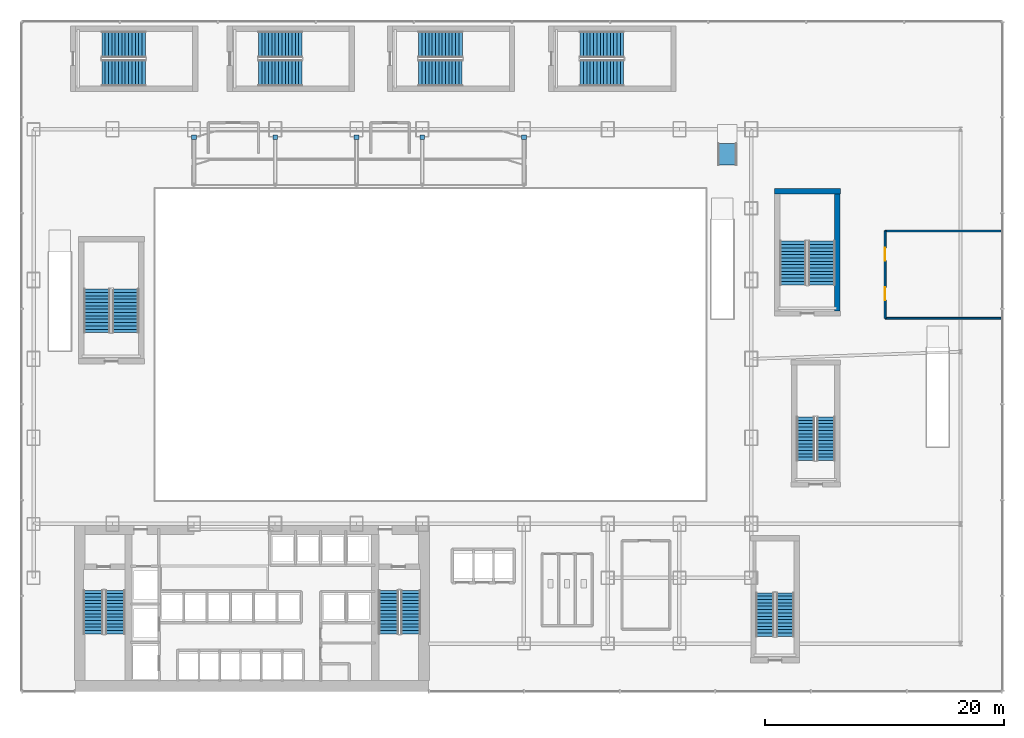
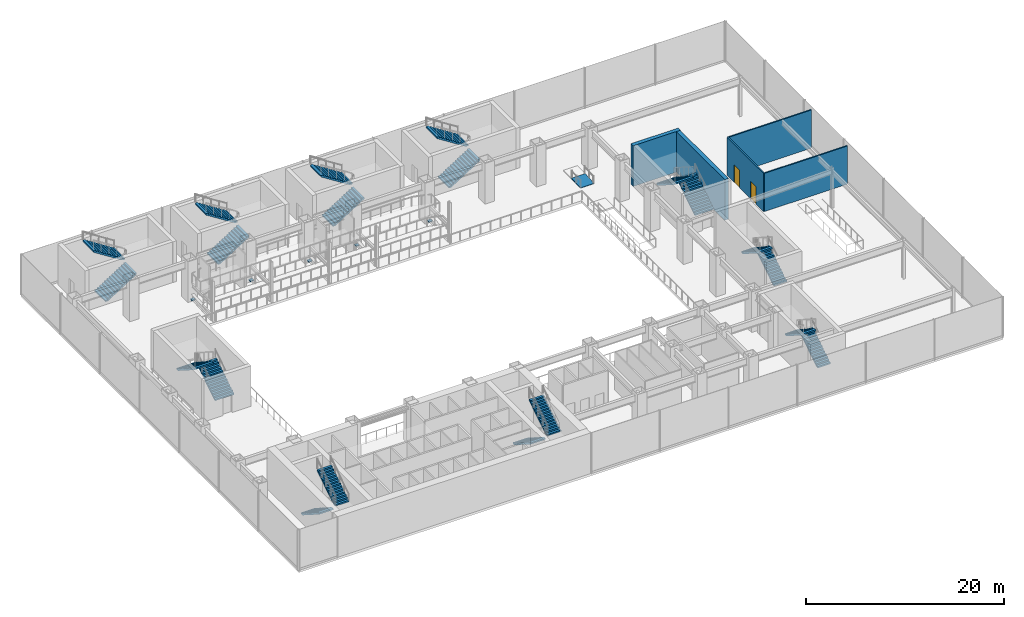
# One storey, part 31 of 39: 20 stair flights, 5 discrete accessories, 5 walls, 2 doors, 1 ramp flight, 2 openings, 11 elements without a shape of their own.
"""IFC4 building model written with IfcOpenShell, lengths in metres."""

from ifc_helpers import new_model, si_unit, derived_unit, direction, frame, frame_2d, origin, origin_2d, place, context, subcontext, project, spatial, polyline, rectangle, outline, extrude, source, transform, mapped, material, layer, layer_set, type_object, element, fill, aggregate, save


model = new_model("IFC4")

# Units and contexts
model_context = context("Model", 3, precision=1e-05, world=origin(), true_north=direction((0.0, 1.0)))
body_context = subcontext(model_context, "Body", "Model", "MODEL_VIEW")
ifc_project = project(units=[si_unit("LENGTHUNIT", "METRE"), si_unit("AREAUNIT", "SQUARE_METRE"), si_unit("VOLUMEUNIT", "CUBIC_METRE"), si_unit("PLANEANGLEUNIT", "RADIAN"), si_unit("MASSUNIT", "GRAM", prefix="KILO"), derived_unit("THERMALTRANSMITTANCEUNIT", [(si_unit("POWERUNIT", "WATT"), 1), (si_unit("LENGTHUNIT", "METRE"), -2), (si_unit("THERMODYNAMICTEMPERATUREUNIT", "KELVIN"), -1)])], contexts=[model_context])

# Site, building, storey
site_placement = place(None, origin())
site = spatial("IfcSite", under=ifc_project, at=site_placement, CompositionType="ELEMENT")
building_placement = place(site_placement, origin())
building = spatial("IfcBuilding", under=site, at=building_placement, Name="Skarnbrae Concourse Arena and Tower", CompositionType="ELEMENT")
storey_placement = place(building_placement, frame((0.0, 0.0, 11.0)))
storey = spatial("IfcBuildingStorey", under=building, at=storey_placement, Name="L02", CompositionType="ELEMENT", Elevation=11.0)

# Walls
ifc_material_1 = material(Name="Concrete 50 MPa (C50/60)", Category="concrete")
ifc_layer_1 = layer(ifc_material_1, 0.449951171875)
ifc_layer_set_1 = layer_set([ifc_layer_1], Name="Concrete 50 MPa (C50/60)")
wall_type_1 = type_object("IfcWallType", Name="WALL-CORE-450-C50", PredefinedType="SHEAR", material=ifc_layer_set_1)
shared_shape_1 = source(origin(), body_context, "Body", "SweptSolid", [
    extrude(rectangle(XDim=9.800048828125, YDim=0.449951171875, at=frame_2d((4.89990234375, 0.0))), origin(), (0.0, 0.0, 1.0), 5.0),
])
wall_1_placement = place(storey_placement, frame((68.205078125, 31.800048828125, 0.0), z_axis=(0.0, 0.0, 1.0), x_axis=(0.0, 1.0, 0.0)))
element("IfcWall", 1, at=wall_1_placement, inside=storey, type_object=wall_type_1, Name="L02 Protected stair shaft wall ST-A4-E", PredefinedType="SHEAR", context=body_context, shape_type="MappedRepresentation", body=[
    mapped(shared_shape_1, transform((0.0, 0.0, 0.0))),
])
shared_shape_2 = source(origin(), body_context, "Body", "SweptSolid", [
    extrude(rectangle(XDim=5.5, YDim=0.449951171875, at=frame_2d((2.75, 0.0))), origin(), (0.0, 0.0, 1.0), 5.0),
])
wall_2_placement = place(storey_placement, frame((62.949951171875, 41.804931640625, 0.0), z_axis=(0.0, 0.0, 1.0), x_axis=(1.0, 0.0, 0.0)))
element("IfcWall", 2, at=wall_2_placement, inside=storey, type_object=wall_type_1, Name="L02 Protected stair shaft wall ST-A4-N", PredefinedType="SHEAR", context=body_context, shape_type="MappedRepresentation", body=[
    mapped(shared_shape_2, transform((0.0, 0.0, 0.0))),
])

# Wall, openings, doors
ifc_material_2 = material(Name="Gypsum board on cold-formed steel studs", Category="steel")
ifc_layer_2 = layer(ifc_material_2, 0.14990234375)
ifc_layer_set_2 = layer_set([ifc_layer_2], Name="Gypsum board on cold-formed steel studs")
wall_type_2 = type_object("IfcWallType", Name="WALL-PART-150-1HR", PredefinedType="PARTITIONING", material=ifc_layer_set_2)
shared_shape_3 = source(origin(), body_context, "Body", "SweptSolid", [
    extrude(rectangle(XDim=7.300048828125, YDim=0.14990234375, at=frame_2d((3.64990234375, 0.0))), origin(), (0.0, 0.0, 1.0), 4.699951171875),
])
wall_3_placement = place(storey_placement, frame((72.199951171875, 31.199951171875, 0.0), z_axis=(0.0, 0.0, 1.0), x_axis=(0.0, 1.0, 0.0)))
wall_3 = element("IfcWall", 3, at=wall_3_placement, inside=storey, type_object=wall_type_2, Name="L02 Interior partition wall W-L02-CLB-W", PredefinedType="PARTITIONING", context=body_context, shape_type="MappedRepresentation", body=[
    mapped(shared_shape_3, transform((0.0, 0.0, 0.0))),
])
opening_1_placement = place(wall_3_placement, frame((1.5, 0.0, 0.0)))
opening_1 = element("IfcOpeningElement", 4, at=opening_1_placement, cuts=wall_3, Name="Opening DT-03", PredefinedType="OPENING", context=body_context, shape_type="SweptSolid", body=[
    extrude(rectangle(XDim=1.10009765625, YDim=2.14990234375, at=frame_2d((0.550048828125, 1.074951171875))), frame((0.0, 0.0849609375, 0.0), z_axis=(0.0, -1.0, 0.0), x_axis=(1.0, 0.0, 0.0)), (0.0, 0.0, 1.0), 0.169921875),
])
opening_2_placement = place(wall_3_placement, frame((4.800048828125, 0.0, 0.0)))
opening_2 = element("IfcOpeningElement", 5, at=opening_2_placement, cuts=wall_3, Name="Opening DT-03", PredefinedType="OPENING", context=body_context, shape_type="SweptSolid", body=[
    extrude(rectangle(XDim=1.10009765625, YDim=2.14990234375, at=frame_2d((0.550048828125, 1.074951171875))), frame((0.0, 0.0849609375, 0.0), z_axis=(0.0, -1.0, 0.0), x_axis=(1.0, 0.0, 0.0)), (0.0, 0.0, 1.0), 0.169921875),
])
ifc_material_3 = material(Name="Steel CSA G40.21 350W", Category="steel")
door_type = type_object("IfcDoorType", Name="DOOR-FIRE-1100-90M", OperationType="NOTDEFINED", PredefinedType="DOOR", material=ifc_material_3)
shared_shape_4 = source(origin(), body_context, "Body", "SweptSolid", [
    extrude(rectangle(XDim=1.10009765625, YDim=2.14990234375, at=frame_2d((0.550048828125, 1.074951171875))), frame((0.0, 0.02490234375, 0.0), z_axis=(0.0, -1.0, 0.0), x_axis=(1.0, 0.0, 0.0)), (0.0, 0.0, 1.0), 0.050048828125),
])
door_1_placement = place(opening_1_placement, frame((1.10009765625, 0.0, 0.0), z_axis=(0.0, 0.0, 1.0), x_axis=(-1.0, 0.0, 0.0)))
door_1 = element("IfcDoor", 6, at=door_1_placement, inside=storey, type_object=door_type, Name="D-0245 Arena Club Lounge South Door", OperationType="SINGLE_SWING_LEFT", OverallHeight=2.14990234375, OverallWidth=1.10009765625, PredefinedType="DOOR", context=body_context, shape_type="MappedRepresentation", body=[
    mapped(shared_shape_4, transform((0.0, 0.0, 0.0))),
])
fill(opening_1, door_1)
door_2_placement = place(opening_2_placement, frame((1.10009765625, 0.0, 0.0), z_axis=(0.0, 0.0, 1.0), x_axis=(-1.0, 0.0, 0.0)))
door_2 = element("IfcDoor", 7, at=door_2_placement, inside=storey, type_object=door_type, Name="D-0246 Arena Club Lounge North Door", OperationType="SINGLE_SWING_RIGHT", OverallHeight=2.14990234375, OverallWidth=1.10009765625, PredefinedType="DOOR", context=body_context, shape_type="MappedRepresentation", body=[
    mapped(shared_shape_4, transform((0.0, 0.0, 0.0))),
])
fill(opening_2, door_2)

# Walls
shared_shape_5 = source(origin(), body_context, "Body", "SweptSolid", [
    extrude(rectangle(XDim=9.699951171875, YDim=0.14990234375, at=frame_2d((4.85009765625, 0.0))), origin(), (0.0, 0.0, 1.0), 4.699951171875),
])
for number, where, z_axis, x_axis, name in (
    (8, (72.199951171875, 31.199951171875, 0.0), (0.0, 0.0, 1.0), (1.0, 0.0, 0.0), "L02 Interior partition wall W-L02-CLB-S"),
    (9, (72.199951171875, 38.5, 0.0), (0.0, 0.0, 1.0), (1.0, 0.0, 0.0), "L02 Interior partition wall W-L02-CLB-N"),
):
    element("IfcWall", number, at=place(storey_placement, frame(where, z_axis=z_axis, x_axis=x_axis)), inside=storey, type_object=wall_type_2, Name=name, PredefinedType="PARTITIONING", context=body_context, shape_type="MappedRepresentation", body=[
        mapped(shared_shape_5, transform((0.0, 0.0, 0.0))),
    ])

# Stair, stair flights
ifc_material_4 = material(Name="Concrete 40 MPa (C40/50)", Category="concrete")
stair_type_1 = type_object("IfcStairType", Name="STAIR-DOGLEG-1650", PredefinedType="HALF_TURN_STAIR", material=ifc_material_4)
stair_1_placement = place(storey_placement, origin())
stair_1 = element("IfcStair", 10, at=stair_1_placement, inside=storey, type_object=stair_type_1, Name="L02 Protected Exit Stair ST-1", PredefinedType="HALF_TURN_STAIR")
stair_flight_type_1 = type_object("IfcStairFlightType", Name="FLIGHT-STRAIGHT-1650", PredefinedType="STRAIGHT", material=ifc_material_4)
shared_shape_6 = source(origin(), body_context, "Body", "SweptSolid", [
    extrude(outline(polyline([(0.0, 0.0), (0.0, 0.178466796875), (0.280029296875, 0.178466796875), (0.280029296875, 0.357177734375), (0.56005859375, 0.357177734375), (0.56005859375, 0.53564453125), (0.840087890625, 0.53564453125), (0.840087890625, 0.71435546875), (1.1201171875, 0.71435546875), (1.1201171875, 0.892822265625), (1.39990234375, 0.892822265625), (1.39990234375, 1.071533203125), (1.679931640625, 1.071533203125), (1.679931640625, 1.25), (1.9599609375, 1.25), (1.9599609375, 1.428466796875), (2.239990234375, 1.428466796875), (2.239990234375, 1.607177734375), (2.52001953125, 1.607177734375), (2.52001953125, 1.78564453125), (2.800048828125, 1.78564453125), (2.800048828125, 1.96435546875), (3.080078125, 1.96435546875), (3.080078125, 2.142822265625), (3.360107421875, 2.142822265625), (3.360107421875, 2.321533203125), (3.639892578125, 2.321533203125), (3.639892578125, 2.5), (3.639892578125, 2.1435546875), (0.27880859375, 0.0), (0.0, 0.0)])), frame((0.0, 0.824951171875, 0.0), z_axis=(0.0, -1.0, 0.0), x_axis=(1.0, 0.0, 0.0)), (0.0, 0.0, 1.0), 1.64990234375),
])
stair_flight_1_placement = place(storey_placement, frame((5.97509765625, 8.449951171875, 0.0), z_axis=(0.0, 0.0, 1.0), x_axis=(0.0, -1.0, 0.0)))
stair_flight_1 = element("IfcStairFlight", 11, at=stair_flight_1_placement, type_object=stair_flight_type_1, Name="ST-1 flight 1", NumberOfRisers=14, NumberOfTreads=13, PredefinedType="STRAIGHT", RiserHeight=0.178571429, TreadLength=0.28, context=body_context, shape_type="MappedRepresentation", body=[
    mapped(shared_shape_6, transform((0.0, 0.0, 0.0))),
])
stair_flight_2_placement = place(storey_placement, frame((7.824951171875, 4.81005859375, 2.5), z_axis=(0.0, 0.0, 1.0), x_axis=(0.0, 1.0, 0.0)))
stair_flight_2 = element("IfcStairFlight", 12, at=stair_flight_2_placement, type_object=stair_flight_type_1, Name="ST-1 flight 2", NumberOfRisers=14, NumberOfTreads=13, PredefinedType="STRAIGHT", RiserHeight=0.178571429, TreadLength=0.28, context=body_context, shape_type="MappedRepresentation", body=[
    mapped(shared_shape_6, transform((0.0, 0.0, 0.0))),
])
aggregate(stair_1, [stair_flight_1, stair_flight_2])

stair_2_placement = place(storey_placement, origin())
stair_2 = element("IfcStair", 13, at=stair_2_placement, inside=storey, type_object=stair_type_1, Name="L02 Protected Exit Stair ST-2", PredefinedType="HALF_TURN_STAIR")
stair_flight_3_placement = place(storey_placement, frame((30.675048828125, 8.449951171875, 0.0), z_axis=(0.0, 0.0, 1.0), x_axis=(0.0, -1.0, 0.0)))
stair_flight_3 = element("IfcStairFlight", 14, at=stair_flight_3_placement, type_object=stair_flight_type_1, Name="ST-2 flight 1", NumberOfRisers=14, NumberOfTreads=13, PredefinedType="STRAIGHT", RiserHeight=0.178571429, TreadLength=0.28, context=body_context, shape_type="MappedRepresentation", body=[
    mapped(shared_shape_6, transform((0.0, 0.0, 0.0))),
])
stair_flight_4_placement = place(storey_placement, frame((32.52490234375, 4.81005859375, 2.5), z_axis=(0.0, 0.0, 1.0), x_axis=(0.0, 1.0, 0.0)))
stair_flight_4 = element("IfcStairFlight", 15, at=stair_flight_4_placement, type_object=stair_flight_type_1, Name="ST-2 flight 2", NumberOfRisers=14, NumberOfTreads=13, PredefinedType="STRAIGHT", RiserHeight=0.178571429, TreadLength=0.28, context=body_context, shape_type="MappedRepresentation", body=[
    mapped(shared_shape_6, transform((0.0, 0.0, 0.0))),
])
aggregate(stair_2, [stair_flight_3, stair_flight_4])

stair_type_2 = type_object("IfcStairType", Name="STAIR-DOGLEG-1500", PredefinedType="HALF_TURN_STAIR", material=ifc_material_4)
stair_3_placement = place(storey_placement, origin())
stair_3 = element("IfcStair", 16, at=stair_3_placement, inside=storey, type_object=stair_type_2, Name="L02 Arena Exit Stair ST-A1", PredefinedType="HALF_TURN_STAIR")
stair_flight_type_2 = type_object("IfcStairFlightType", Name="FLIGHT-STRAIGHT-1500", PredefinedType="STRAIGHT", material=ifc_material_4)
shared_shape_7 = source(origin(), body_context, "Body", "SweptSolid", [
    extrude(outline(polyline([(0.0, 0.0), (0.0, 0.178466796875), (0.280029296875, 0.178466796875), (0.280029296875, 0.357177734375), (0.56005859375, 0.357177734375), (0.56005859375, 0.53564453125), (0.840087890625, 0.53564453125), (0.840087890625, 0.71435546875), (1.1201171875, 0.71435546875), (1.1201171875, 0.892822265625), (1.39990234375, 0.892822265625), (1.39990234375, 1.071533203125), (1.679931640625, 1.071533203125), (1.679931640625, 1.25), (1.9599609375, 1.25), (1.9599609375, 1.428466796875), (2.239990234375, 1.428466796875), (2.239990234375, 1.607177734375), (2.52001953125, 1.607177734375), (2.52001953125, 1.78564453125), (2.800048828125, 1.78564453125), (2.800048828125, 1.96435546875), (3.080078125, 1.96435546875), (3.080078125, 2.142822265625), (3.360107421875, 2.142822265625), (3.360107421875, 2.321533203125), (3.639892578125, 2.321533203125), (3.639892578125, 2.5), (3.639892578125, 2.1435546875), (0.27880859375, 0.0), (0.0, 0.0)])), frame((0.0, 0.75, 0.0), z_axis=(0.0, -1.0, 0.0), x_axis=(1.0, 0.0, 0.0)), (0.0, 0.0, 1.0), 1.5),
])
stair_flight_5_placement = place(storey_placement, frame((63.85009765625, 4.60009765625, 0.0), z_axis=(0.0, 0.0, 1.0), x_axis=(0.0, 1.0, 0.0)))
stair_flight_5 = element("IfcStairFlight", 17, at=stair_flight_5_placement, type_object=stair_flight_type_2, Name="ST-A1 flight 1", NumberOfRisers=14, NumberOfTreads=13, PredefinedType="STRAIGHT", RiserHeight=0.178571429, TreadLength=0.28, context=body_context, shape_type="MappedRepresentation", body=[
    mapped(shared_shape_7, transform((0.0, 0.0, 0.0))),
])
stair_flight_6_placement = place(storey_placement, frame((62.14990234375, 8.239990234375, 2.5), z_axis=(0.0, 0.0, 1.0), x_axis=(0.0, -1.0, 0.0)))
stair_flight_6 = element("IfcStairFlight", 18, at=stair_flight_6_placement, type_object=stair_flight_type_2, Name="ST-A1 flight 2", NumberOfRisers=14, NumberOfTreads=13, PredefinedType="STRAIGHT", RiserHeight=0.178571429, TreadLength=0.28, context=body_context, shape_type="MappedRepresentation", body=[
    mapped(shared_shape_7, transform((0.0, 0.0, 0.0))),
])
aggregate(stair_3, [stair_flight_5, stair_flight_6])

stair_4_placement = place(storey_placement, origin())
stair_4 = element("IfcStair", 19, at=stair_4_placement, inside=storey, type_object=stair_type_2, Name="L02 Arena Exit Stair ST-A2", PredefinedType="HALF_TURN_STAIR")
stair_flight_7_placement = place(storey_placement, frame((67.25, 19.300048828125, 0.0), z_axis=(0.0, 0.0, 1.0), x_axis=(0.0, 1.0, 0.0)))
stair_flight_7 = element("IfcStairFlight", 20, at=stair_flight_7_placement, type_object=stair_flight_type_2, Name="ST-A2 flight 1", NumberOfRisers=14, NumberOfTreads=13, PredefinedType="STRAIGHT", RiserHeight=0.178571429, TreadLength=0.28, context=body_context, shape_type="MappedRepresentation", body=[
    mapped(shared_shape_7, transform((0.0, 0.0, 0.0))),
])
stair_flight_8_placement = place(storey_placement, frame((65.550048828125, 22.93994140625, 2.5), z_axis=(0.0, 0.0, 1.0), x_axis=(0.0, -1.0, 0.0)))
stair_flight_8 = element("IfcStairFlight", 21, at=stair_flight_8_placement, type_object=stair_flight_type_2, Name="ST-A2 flight 2", NumberOfRisers=14, NumberOfTreads=13, PredefinedType="STRAIGHT", RiserHeight=0.178571429, TreadLength=0.28, context=body_context, shape_type="MappedRepresentation", body=[
    mapped(shared_shape_7, transform((0.0, 0.0, 0.0))),
])
aggregate(stair_4, [stair_flight_7, stair_flight_8])

stair_type_3 = type_object("IfcStairType", Name="STAIR-DOGLEG-2200", PredefinedType="HALF_TURN_STAIR", material=ifc_material_4)
stair_5_placement = place(storey_placement, origin())
stair_5 = element("IfcStair", 22, at=stair_5_placement, inside=storey, type_object=stair_type_3, Name="L02 Arena Exit Stair ST-A3", PredefinedType="HALF_TURN_STAIR")
stair_flight_type_3 = type_object("IfcStairFlightType", Name="FLIGHT-STRAIGHT-2200", PredefinedType="STRAIGHT", material=ifc_material_4)
shared_shape_8 = source(origin(), body_context, "Body", "SweptSolid", [
    extrude(outline(polyline([(0.0, 0.0), (0.0, 0.178466796875), (0.280029296875, 0.178466796875), (0.280029296875, 0.357177734375), (0.56005859375, 0.357177734375), (0.56005859375, 0.53564453125), (0.840087890625, 0.53564453125), (0.840087890625, 0.71435546875), (1.1201171875, 0.71435546875), (1.1201171875, 0.892822265625), (1.39990234375, 0.892822265625), (1.39990234375, 1.071533203125), (1.679931640625, 1.071533203125), (1.679931640625, 1.25), (1.9599609375, 1.25), (1.9599609375, 1.428466796875), (2.239990234375, 1.428466796875), (2.239990234375, 1.607177734375), (2.52001953125, 1.607177734375), (2.52001953125, 1.78564453125), (2.800048828125, 1.78564453125), (2.800048828125, 1.96435546875), (3.080078125, 1.96435546875), (3.080078125, 2.142822265625), (3.360107421875, 2.142822265625), (3.360107421875, 2.321533203125), (3.639892578125, 2.321533203125), (3.639892578125, 2.5), (3.639892578125, 2.1435546875), (0.27880859375, 0.0), (0.0, 0.0)])), frame((0.0, 1.10009765625, 0.0), z_axis=(0.0, -1.0, 0.0), x_axis=(1.0, 0.0, 0.0)), (0.0, 0.0, 1.0), 2.199951171875),
])
stair_flight_9_placement = place(storey_placement, frame((8.699951171875, 30.0, 0.0), z_axis=(0.0, 0.0, 1.0), x_axis=(0.0, 1.0, 0.0)))
stair_flight_9 = element("IfcStairFlight", 23, at=stair_flight_9_placement, type_object=stair_flight_type_3, Name="ST-A3 flight 1", NumberOfRisers=14, NumberOfTreads=13, PredefinedType="STRAIGHT", RiserHeight=0.178571429, TreadLength=0.28, context=body_context, shape_type="MappedRepresentation", body=[
    mapped(shared_shape_8, transform((0.0, 0.0, 0.0))),
])
stair_flight_10_placement = place(storey_placement, frame((6.300048828125, 33.639892578125, 2.5), z_axis=(0.0, 0.0, 1.0), x_axis=(0.0, -1.0, 0.0)))
stair_flight_10 = element("IfcStairFlight", 24, at=stair_flight_10_placement, type_object=stair_flight_type_3, Name="ST-A3 flight 2", NumberOfRisers=14, NumberOfTreads=13, PredefinedType="STRAIGHT", RiserHeight=0.178571429, TreadLength=0.28, context=body_context, shape_type="MappedRepresentation", body=[
    mapped(shared_shape_8, transform((0.0, 0.0, 0.0))),
])
aggregate(stair_5, [stair_flight_9, stair_flight_10])

stair_6_placement = place(storey_placement, origin())
stair_6 = element("IfcStair", 25, at=stair_6_placement, inside=storey, type_object=stair_type_3, Name="L02 Arena Exit Stair ST-A4", PredefinedType="HALF_TURN_STAIR")
stair_flight_11_placement = place(storey_placement, frame((66.89990234375, 34.0, 0.0), z_axis=(0.0, 0.0, 1.0), x_axis=(0.0, 1.0, 0.0)))
stair_flight_11 = element("IfcStairFlight", 26, at=stair_flight_11_placement, type_object=stair_flight_type_3, Name="ST-A4 flight 1", NumberOfRisers=14, NumberOfTreads=13, PredefinedType="STRAIGHT", RiserHeight=0.178571429, TreadLength=0.28, context=body_context, shape_type="MappedRepresentation", body=[
    mapped(shared_shape_8, transform((0.0, 0.0, 0.0))),
])
stair_flight_12_placement = place(storey_placement, frame((64.5, 37.639892578125, 2.5), z_axis=(0.0, 0.0, 1.0), x_axis=(0.0, -1.0, 0.0)))
stair_flight_12 = element("IfcStairFlight", 27, at=stair_flight_12_placement, type_object=stair_flight_type_3, Name="ST-A4 flight 2", NumberOfRisers=14, NumberOfTreads=13, PredefinedType="STRAIGHT", RiserHeight=0.178571429, TreadLength=0.28, context=body_context, shape_type="MappedRepresentation", body=[
    mapped(shared_shape_8, transform((0.0, 0.0, 0.0))),
])
aggregate(stair_6, [stair_flight_11, stair_flight_12])

stair_7_placement = place(storey_placement, origin())
stair_7 = element("IfcStair", 28, at=stair_7_placement, inside=storey, type_object=stair_type_3, Name="L02 Arena Exit Stair ST-A5", PredefinedType="HALF_TURN_STAIR")
stair_flight_13_placement = place(storey_placement, frame((6.699951171875, 51.699951171875, 0.0), z_axis=(0.0, 0.0, 1.0), x_axis=(1.0, 0.0, 0.0)))
stair_flight_13 = element("IfcStairFlight", 29, at=stair_flight_13_placement, type_object=stair_flight_type_3, Name="ST-A5 flight 1", NumberOfRisers=14, NumberOfTreads=13, PredefinedType="STRAIGHT", RiserHeight=0.178571429, TreadLength=0.28, context=body_context, shape_type="MappedRepresentation", body=[
    mapped(shared_shape_8, transform((0.0, 0.0, 0.0))),
])
stair_flight_14_placement = place(storey_placement, frame((10.340087890625, 54.10009765625, 2.5), z_axis=(0.0, 0.0, 1.0), x_axis=(-1.0, 0.0, 0.0)))
stair_flight_14 = element("IfcStairFlight", 30, at=stair_flight_14_placement, type_object=stair_flight_type_3, Name="ST-A5 flight 2", NumberOfRisers=14, NumberOfTreads=13, PredefinedType="STRAIGHT", RiserHeight=0.178571429, TreadLength=0.28, context=body_context, shape_type="MappedRepresentation", body=[
    mapped(shared_shape_8, transform((0.0, 0.0, 0.0))),
])
aggregate(stair_7, [stair_flight_13, stair_flight_14])

stair_8_placement = place(storey_placement, origin())
stair_8 = element("IfcStair", 31, at=stair_8_placement, inside=storey, type_object=stair_type_3, Name="L02 Arena Exit Stair ST-A6", PredefinedType="HALF_TURN_STAIR")
stair_flight_15_placement = place(storey_placement, frame((19.800048828125, 51.699951171875, 0.0), z_axis=(0.0, 0.0, 1.0), x_axis=(1.0, 0.0, 0.0)))
stair_flight_15 = element("IfcStairFlight", 32, at=stair_flight_15_placement, type_object=stair_flight_type_3, Name="ST-A6 flight 1", NumberOfRisers=14, NumberOfTreads=13, PredefinedType="STRAIGHT", RiserHeight=0.178571429, TreadLength=0.28, context=body_context, shape_type="MappedRepresentation", body=[
    mapped(shared_shape_8, transform((0.0, 0.0, 0.0))),
])
stair_flight_16_placement = place(storey_placement, frame((23.43994140625, 54.10009765625, 2.5), z_axis=(0.0, 0.0, 1.0), x_axis=(-1.0, 0.0, 0.0)))
stair_flight_16 = element("IfcStairFlight", 33, at=stair_flight_16_placement, type_object=stair_flight_type_3, Name="ST-A6 flight 2", NumberOfRisers=14, NumberOfTreads=13, PredefinedType="STRAIGHT", RiserHeight=0.178571429, TreadLength=0.28, context=body_context, shape_type="MappedRepresentation", body=[
    mapped(shared_shape_8, transform((0.0, 0.0, 0.0))),
])
aggregate(stair_8, [stair_flight_15, stair_flight_16])

stair_9_placement = place(storey_placement, origin())
stair_9 = element("IfcStair", 34, at=stair_9_placement, inside=storey, type_object=stair_type_3, Name="L02 Arena Exit Stair ST-A7", PredefinedType="HALF_TURN_STAIR")
stair_flight_17_placement = place(storey_placement, frame((33.199951171875, 51.699951171875, 0.0), z_axis=(0.0, 0.0, 1.0), x_axis=(1.0, 0.0, 0.0)))
stair_flight_17 = element("IfcStairFlight", 35, at=stair_flight_17_placement, type_object=stair_flight_type_3, Name="ST-A7 flight 1", NumberOfRisers=14, NumberOfTreads=13, PredefinedType="STRAIGHT", RiserHeight=0.178571429, TreadLength=0.28, context=body_context, shape_type="MappedRepresentation", body=[
    mapped(shared_shape_8, transform((0.0, 0.0, 0.0))),
])
stair_flight_18_placement = place(storey_placement, frame((36.840087890625, 54.10009765625, 2.5), z_axis=(0.0, 0.0, 1.0), x_axis=(-1.0, 0.0, 0.0)))
stair_flight_18 = element("IfcStairFlight", 36, at=stair_flight_18_placement, type_object=stair_flight_type_3, Name="ST-A7 flight 2", NumberOfRisers=14, NumberOfTreads=13, PredefinedType="STRAIGHT", RiserHeight=0.178571429, TreadLength=0.28, context=body_context, shape_type="MappedRepresentation", body=[
    mapped(shared_shape_8, transform((0.0, 0.0, 0.0))),
])
aggregate(stair_9, [stair_flight_17, stair_flight_18])

stair_10_placement = place(storey_placement, origin())
stair_10 = element("IfcStair", 37, at=stair_10_placement, inside=storey, type_object=stair_type_3, Name="L02 Arena Exit Stair ST-A8", PredefinedType="HALF_TURN_STAIR")
stair_flight_19_placement = place(storey_placement, frame((46.699951171875, 51.699951171875, 0.0), z_axis=(0.0, 0.0, 1.0), x_axis=(1.0, 0.0, 0.0)))
stair_flight_19 = element("IfcStairFlight", 38, at=stair_flight_19_placement, type_object=stair_flight_type_3, Name="ST-A8 flight 1", NumberOfRisers=14, NumberOfTreads=13, PredefinedType="STRAIGHT", RiserHeight=0.178571429, TreadLength=0.28, context=body_context, shape_type="MappedRepresentation", body=[
    mapped(shared_shape_8, transform((0.0, 0.0, 0.0))),
])
stair_flight_20_placement = place(storey_placement, frame((50.340087890625, 54.10009765625, 2.5), z_axis=(0.0, 0.0, 1.0), x_axis=(-1.0, 0.0, 0.0)))
stair_flight_20 = element("IfcStairFlight", 39, at=stair_flight_20_placement, type_object=stair_flight_type_3, Name="ST-A8 flight 2", NumberOfRisers=14, NumberOfTreads=13, PredefinedType="STRAIGHT", RiserHeight=0.178571429, TreadLength=0.28, context=body_context, shape_type="MappedRepresentation", body=[
    mapped(shared_shape_8, transform((0.0, 0.0, 0.0))),
])
aggregate(stair_10, [stair_flight_19, stair_flight_20])

# Ramp, ramp flight
ramp_type = type_object("IfcRampType", Name="RAMP-ACC-1600", PredefinedType="STRAIGHT_RUN_RAMP", material=ifc_material_4)
ramp_placement = place(storey_placement, origin())
ramp = element("IfcRamp", 40, at=ramp_placement, inside=storey, type_object=ramp_type, Name="L02 Barrier-free accessible ramp R-A03", PredefinedType="STRAIGHT_RUN_RAMP")
ifc_layer_3 = layer(ifc_material_4, 0.25)
ifc_layer_set_3 = layer_set([ifc_layer_3], Name="Concrete 40 MPa (C40/50)")
ramp_flight_type = type_object("IfcRampFlightType", Name="RAMPFLIGHT-ACC-250", PredefinedType="STRAIGHT", material=ifc_layer_set_3)
ramp_flight_placement = place(storey_placement, frame((58.199951171875, 44.0, 0.02001953125), z_axis=(0.0, -0.06644715358, 0.997789945721), x_axis=(1.0, 0.0, 0.0)))
ramp_flight = element("IfcRampFlight", 41, at=ramp_flight_placement, type_object=ramp_flight_type, Name="L02 Accessible ramp flight 03", PredefinedType="STRAIGHT", context=body_context, shape_type="SweptSolid", body=[
    extrude(outline(polyline([(0.0, 0.0), (1.60009765625, 0.0), (1.60009765625, 1.8040358452650773), (0.0, 1.8040358452650773), (0.0, 0.0)])), origin(), (0.0, 0.0, -1.0), 0.1201171875),
])
aggregate(ramp, [ramp_flight])

# Discrete accessories
discrete_accessory_type = type_object("IfcDiscreteAccessoryType", Name="ACC-BEARING-RAKER-RB01", PredefinedType="SHOE", material=ifc_material_3)
shared_shape_9 = source(origin(), body_context, "Body", "SweptSolid", [
    extrude(rectangle(XDim=0.39990234375, YDim=0.39990234375, at=origin_2d()), origin(), (0.0, 0.0, 1.0), 0.10009765625),
])
for number, where, z_axis, x_axis, name in (
    (42, (14.39990234375, 46.330078125, 0.169921875), (0.0, 0.0, 1.0), (1.0, 0.0, 0.0), "L02 Guided Arena Raker Bearing RB-01 N01"),
    (43, (21.199951171875, 46.330078125, 0.169921875), (0.0, 0.0, 1.0), (1.0, 0.0, 0.0), "L02 Guided Arena Raker Bearing RB-01 N02"),
    (44, (28.0, 46.330078125, 0.169921875), (0.0, 0.0, 1.0), (1.0, 0.0, 0.0), "L02 Guided Arena Raker Bearing RB-01 N03"),
    (45, (33.5, 46.330078125, 0.169921875), (0.0, 0.0, 1.0), (1.0, 0.0, 0.0), "L02 Guided Arena Raker Bearing RB-01 N04"),
    (46, (42.0, 46.330078125, 0.169921875), (0.0, 0.0, 1.0), (1.0, 0.0, 0.0), "L02 Guided Arena Raker Bearing RB-01 N05"),
):
    element("IfcDiscreteAccessory", number, at=place(storey_placement, frame(where, z_axis=z_axis, x_axis=x_axis)), inside=storey, type_object=discrete_accessory_type, Name=name, PredefinedType="SHOE", context=body_context, shape_type="MappedRepresentation", body=[
        mapped(shared_shape_9, transform((0.0, 0.0, 0.0))),
    ])

save(model, "model.ifc")
